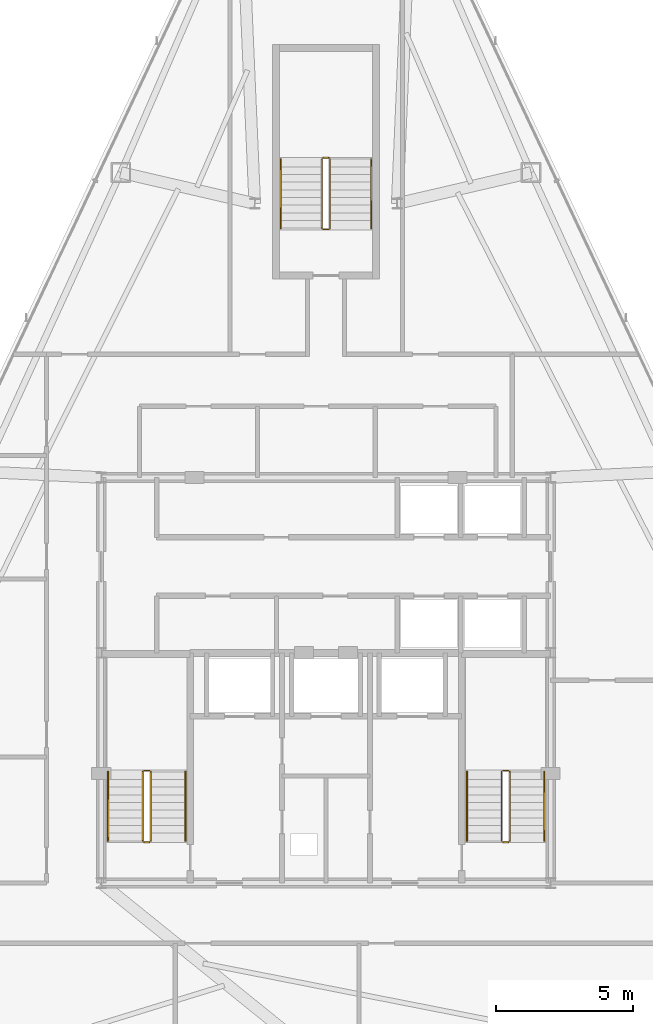
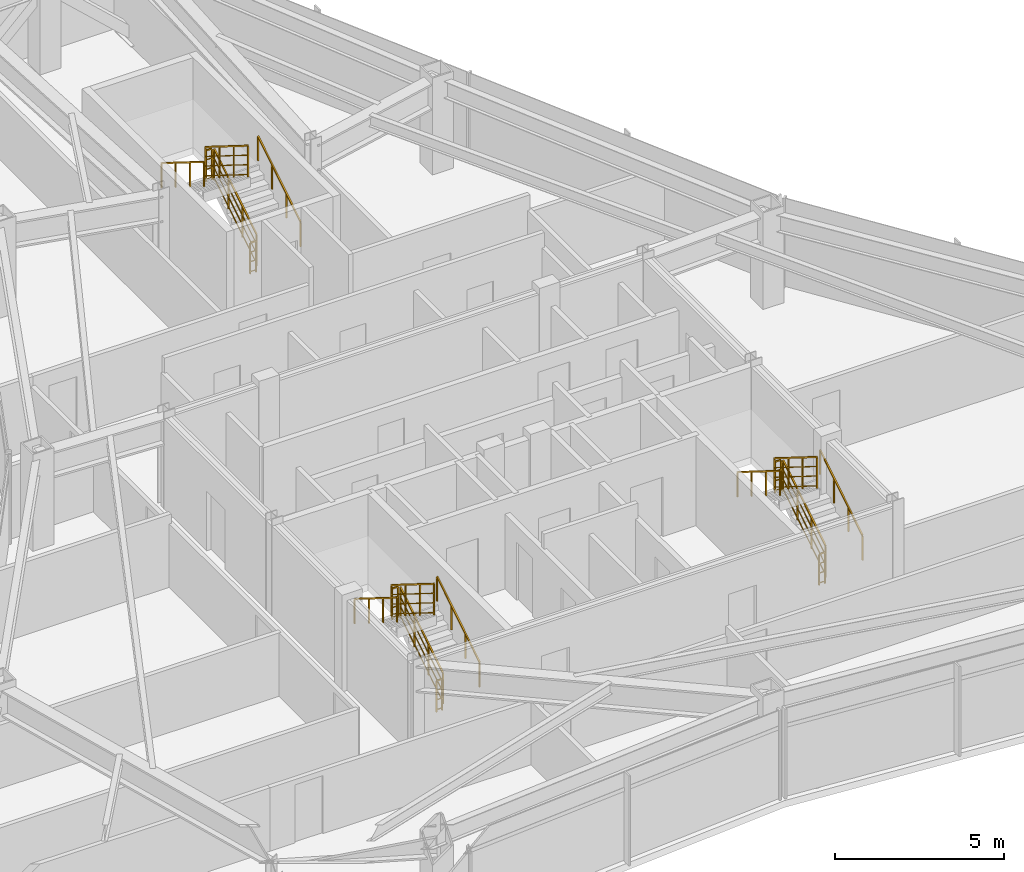
# One storey, part 12 of 12: 18 railings.
"""IFC4 building model written with IfcOpenShell, lengths in metres."""

from ifc_helpers import new_model, si_unit, direction, frame, origin, origin_2d, place, context, subcontext, project, spatial, rectangle, extrude, material, type_object, element, save


model = new_model("IFC4")

# Units and contexts
model_context = context("Model", 3, precision=1e-05, world=origin(), true_north=direction((0.0, 1.0)))
body_context = subcontext(model_context, "Body", "Model", "MODEL_VIEW")
ifc_project = project(units=[si_unit("LENGTHUNIT", "METRE"), si_unit("AREAUNIT", "SQUARE_METRE"), si_unit("VOLUMEUNIT", "CUBIC_METRE"), si_unit("PLANEANGLEUNIT", "RADIAN"), si_unit("MASSUNIT", "GRAM", prefix="KILO")], contexts=[model_context])

# Site, building, storey
site_placement = place(None, origin())
site = spatial("IfcSite", under=ifc_project, at=site_placement, CompositionType="ELEMENT")
building_placement = place(site_placement, origin())
building = spatial("IfcBuilding", under=site, at=building_placement, Name="Varakhsha Concourse Tower", CompositionType="ELEMENT")
storey_placement = place(building_placement, frame((0.0, 0.0, 225.89990234375)))
storey = spatial("IfcBuildingStorey", under=building, at=storey_placement, Name="L64", CompositionType="ELEMENT", Elevation=225.89990234375)

# Railings
ifc_material = material(Name="Brushed Austenitic Stainless Steel AISI 316", Category="steel")
railing_type_1 = type_object("IfcRailingType", Name="RL-STAIR-GUARD-1100", PredefinedType="GUARDRAIL", material=ifc_material)
railing_1_placement = place(storey_placement, frame((33.610107421875, 17.93994140625, 0.175048828125)))
element("IfcRailing", 1, at=railing_1_placement, inside=storey, type_object=railing_type_1, Name="L64 ST1 stair guard 1", PredefinedType="GUARDRAIL", context=body_context, shape_type="SweptSolid", body=[
    extrude(rectangle(XDim=0.048095703125, YDim=0.048095703125, at=origin_2d()), frame((0.0, 0.0, 1.1259765625), z_axis=(0.0, 0.848007534815, 0.529984170421), x_axis=(-1.0, 0.0, 0.0)), (0.0, 0.0, 1.0), 2.9716796875),
    extrude(rectangle(XDim=0.028076171875, YDim=0.028076171875, at=origin_2d()), frame((0.0, 0.0, 0.080078125), z_axis=(0.0, 0.848007534815, 0.529984170421), x_axis=(-1.0, 0.0, 0.0)), (0.0, 0.0, 1.0), 2.9716796875),
    extrude(rectangle(XDim=0.028076171875, YDim=0.028076171875, at=origin_2d()), frame((0.0, 0.0, 0.43701171875), z_axis=(0.0, 0.848007534815, 0.529984170421), x_axis=(-1.0, 0.0, 0.0)), (0.0, 0.0, 1.0), 2.9716796875),
    extrude(rectangle(XDim=0.028076171875, YDim=0.028076171875, at=origin_2d()), frame((0.0, 0.0, 0.781982421875), z_axis=(0.0, 0.848007534815, 0.529984170421), x_axis=(-1.0, 0.0, 0.0)), (0.0, 0.0, 1.0), 2.9716796875),
    extrude(rectangle(XDim=0.0419921875, YDim=0.0419921875, at=origin_2d()), origin(), (0.0, 0.0, 1.0), 1.101806640625),
    extrude(rectangle(XDim=0.0419921875, YDim=0.0419921875, at=origin_2d()), frame((0.0, 0.840087890625, 0.52490234375)), (0.0, 0.0, 1.0), 1.101806640625),
    extrude(rectangle(XDim=0.0419921875, YDim=0.0419921875, at=origin_2d()), frame((0.0, 1.679931640625, 1.050048828125)), (0.0, 0.0, 1.0), 1.101806640625),
    extrude(rectangle(XDim=0.0419921875, YDim=0.0419921875, at=origin_2d()), frame((0.0, 2.52001953125, 1.574951171875)), (0.0, 0.0, 1.0), 1.101806640625),
])
railing_2_placement = place(storey_placement, frame((33.56005859375, 20.510009765625, 1.75)))
element("IfcRailing", 2, at=railing_2_placement, inside=storey, type_object=railing_type_1, Name="L64 ST1 stair guard 2", PredefinedType="GUARDRAIL", context=body_context, shape_type="SweptSolid", body=[
    extrude(rectangle(XDim=0.048095703125, YDim=0.048095703125, at=origin_2d()), frame((0.0, 0.0, 1.1259765625), z_axis=(-1.0, 0.0, 0.0), x_axis=(0.0, -1.0, 0.0)), (0.0, 0.0, 1.0), 0.199951171875),
    extrude(rectangle(XDim=0.028076171875, YDim=0.028076171875, at=origin_2d()), frame((0.0, 0.0, 0.080078125), z_axis=(-1.0, 0.0, 0.0), x_axis=(0.0, -1.0, 0.0)), (0.0, 0.0, 1.0), 0.199951171875),
    extrude(rectangle(XDim=0.028076171875, YDim=0.028076171875, at=origin_2d()), frame((0.0, 0.0, 0.43701171875), z_axis=(-1.0, 0.0, 0.0), x_axis=(0.0, -1.0, 0.0)), (0.0, 0.0, 1.0), 0.199951171875),
    extrude(rectangle(XDim=0.028076171875, YDim=0.028076171875, at=origin_2d()), frame((0.0, 0.0, 0.781982421875), z_axis=(-1.0, 0.0, 0.0), x_axis=(0.0, -1.0, 0.0)), (0.0, 0.0, 1.0), 0.199951171875),
    extrude(rectangle(XDim=0.0419921875, YDim=0.0419921875, at=origin_2d()), origin(), (0.0, 0.0, 1.0), 1.101806640625),
    extrude(rectangle(XDim=0.0419921875, YDim=0.0419921875, at=origin_2d()), frame((-0.199951171875, 0.0, 0.0)), (0.0, 0.0, 1.0), 1.101806640625),
])
railing_3_placement = place(storey_placement, frame((33.31005859375, 20.4599609375, 1.925048828125)))
element("IfcRailing", 3, at=railing_3_placement, inside=storey, type_object=railing_type_1, Name="L64 ST1 stair guard 3", PredefinedType="GUARDRAIL", context=body_context, shape_type="SweptSolid", body=[
    extrude(rectangle(XDim=0.048095703125, YDim=0.048095703125, at=origin_2d()), frame((0.0, 0.0, 1.1259765625), z_axis=(0.0, -0.848007534815, 0.529984170421), x_axis=(1.0, 0.0, 0.0)), (0.0, 0.0, 1.0), 2.9716796875),
    extrude(rectangle(XDim=0.028076171875, YDim=0.028076171875, at=origin_2d()), frame((0.0, 0.0, 0.080078125), z_axis=(0.0, -0.848007534815, 0.529984170421), x_axis=(1.0, 0.0, 0.0)), (0.0, 0.0, 1.0), 2.9716796875),
    extrude(rectangle(XDim=0.028076171875, YDim=0.028076171875, at=origin_2d()), frame((0.0, 0.0, 0.43701171875), z_axis=(0.0, -0.848007534815, 0.529984170421), x_axis=(1.0, 0.0, 0.0)), (0.0, 0.0, 1.0), 2.9716796875),
    extrude(rectangle(XDim=0.028076171875, YDim=0.028076171875, at=origin_2d()), frame((0.0, 0.0, 0.781982421875), z_axis=(0.0, -0.848007534815, 0.529984170421), x_axis=(1.0, 0.0, 0.0)), (0.0, 0.0, 1.0), 2.9716796875),
    extrude(rectangle(XDim=0.0419921875, YDim=0.0419921875, at=origin_2d()), origin(), (0.0, 0.0, 1.0), 1.101806640625),
    extrude(rectangle(XDim=0.0419921875, YDim=0.0419921875, at=origin_2d()), frame((0.0, -0.840087890625, 0.52490234375)), (0.0, 0.0, 1.0), 1.101806640625),
    extrude(rectangle(XDim=0.0419921875, YDim=0.0419921875, at=origin_2d()), frame((0.0, -1.679931640625, 1.050048828125)), (0.0, 0.0, 1.0), 1.101806640625),
    extrude(rectangle(XDim=0.0419921875, YDim=0.0419921875, at=origin_2d()), frame((0.0, -2.52001953125, 1.574951171875)), (0.0, 0.0, 1.0), 1.101806640625),
])
railing_4_placement = place(storey_placement, frame((33.56005859375, 17.889892578125, 0.0)))
element("IfcRailing", 4, at=railing_4_placement, inside=storey, type_object=railing_type_1, Name="L64 ST1 stair guard 4", PredefinedType="GUARDRAIL", context=body_context, shape_type="SweptSolid", body=[
    extrude(rectangle(XDim=0.048095703125, YDim=0.048095703125, at=origin_2d()), frame((0.0, 0.0, 1.1259765625), z_axis=(-1.0, 0.0, 0.0), x_axis=(0.0, -1.0, 0.0)), (0.0, 0.0, 1.0), 0.199951171875),
    extrude(rectangle(XDim=0.028076171875, YDim=0.028076171875, at=origin_2d()), frame((0.0, 0.0, 0.080078125), z_axis=(-1.0, 0.0, 0.0), x_axis=(0.0, -1.0, 0.0)), (0.0, 0.0, 1.0), 0.199951171875),
    extrude(rectangle(XDim=0.028076171875, YDim=0.028076171875, at=origin_2d()), frame((0.0, 0.0, 0.43701171875), z_axis=(-1.0, 0.0, 0.0), x_axis=(0.0, -1.0, 0.0)), (0.0, 0.0, 1.0), 0.199951171875),
    extrude(rectangle(XDim=0.028076171875, YDim=0.028076171875, at=origin_2d()), frame((0.0, 0.0, 0.781982421875), z_axis=(-1.0, 0.0, 0.0), x_axis=(0.0, -1.0, 0.0)), (0.0, 0.0, 1.0), 0.199951171875),
    extrude(rectangle(XDim=0.0419921875, YDim=0.0419921875, at=origin_2d()), origin(), (0.0, 0.0, 1.0), 1.101806640625),
    extrude(rectangle(XDim=0.0419921875, YDim=0.0419921875, at=origin_2d()), frame((-0.199951171875, 0.0, 0.0)), (0.0, 0.0, 1.0), 1.101806640625),
])
railing_5_placement = place(storey_placement, frame((46.7099609375, 17.93994140625, 0.175048828125)))
element("IfcRailing", 5, at=railing_5_placement, inside=storey, type_object=railing_type_1, Name="L64 ST2 stair guard 1", PredefinedType="GUARDRAIL", context=body_context, shape_type="SweptSolid", body=[
    extrude(rectangle(XDim=0.048095703125, YDim=0.048095703125, at=origin_2d()), frame((0.0, 0.0, 1.1259765625), z_axis=(0.0, 0.848007534815, 0.529984170421), x_axis=(-1.0, 0.0, 0.0)), (0.0, 0.0, 1.0), 2.9716796875),
    extrude(rectangle(XDim=0.028076171875, YDim=0.028076171875, at=origin_2d()), frame((0.0, 0.0, 0.080078125), z_axis=(0.0, 0.848007534815, 0.529984170421), x_axis=(-1.0, 0.0, 0.0)), (0.0, 0.0, 1.0), 2.9716796875),
    extrude(rectangle(XDim=0.028076171875, YDim=0.028076171875, at=origin_2d()), frame((0.0, 0.0, 0.43701171875), z_axis=(0.0, 0.848007534815, 0.529984170421), x_axis=(-1.0, 0.0, 0.0)), (0.0, 0.0, 1.0), 2.9716796875),
    extrude(rectangle(XDim=0.028076171875, YDim=0.028076171875, at=origin_2d()), frame((0.0, 0.0, 0.781982421875), z_axis=(0.0, 0.848007534815, 0.529984170421), x_axis=(-1.0, 0.0, 0.0)), (0.0, 0.0, 1.0), 2.9716796875),
    extrude(rectangle(XDim=0.0419921875, YDim=0.0419921875, at=origin_2d()), origin(), (0.0, 0.0, 1.0), 1.101806640625),
    extrude(rectangle(XDim=0.0419921875, YDim=0.0419921875, at=origin_2d()), frame((0.0, 0.840087890625, 0.52490234375)), (0.0, 0.0, 1.0), 1.101806640625),
    extrude(rectangle(XDim=0.0419921875, YDim=0.0419921875, at=origin_2d()), frame((0.0, 1.679931640625, 1.050048828125)), (0.0, 0.0, 1.0), 1.101806640625),
    extrude(rectangle(XDim=0.0419921875, YDim=0.0419921875, at=origin_2d()), frame((0.0, 2.52001953125, 1.574951171875)), (0.0, 0.0, 1.0), 1.101806640625),
])
railing_6_placement = place(storey_placement, frame((46.659912109375, 20.510009765625, 1.75)))
element("IfcRailing", 6, at=railing_6_placement, inside=storey, type_object=railing_type_1, Name="L64 ST2 stair guard 2", PredefinedType="GUARDRAIL", context=body_context, shape_type="SweptSolid", body=[
    extrude(rectangle(XDim=0.048095703125, YDim=0.048095703125, at=origin_2d()), frame((0.0, 0.0, 1.1259765625), z_axis=(-1.0, 0.0, 0.0), x_axis=(0.0, -1.0, 0.0)), (0.0, 0.0, 1.0), 0.199951171875),
    extrude(rectangle(XDim=0.028076171875, YDim=0.028076171875, at=origin_2d()), frame((0.0, 0.0, 0.080078125), z_axis=(-1.0, 0.0, 0.0), x_axis=(0.0, -1.0, 0.0)), (0.0, 0.0, 1.0), 0.199951171875),
    extrude(rectangle(XDim=0.028076171875, YDim=0.028076171875, at=origin_2d()), frame((0.0, 0.0, 0.43701171875), z_axis=(-1.0, 0.0, 0.0), x_axis=(0.0, -1.0, 0.0)), (0.0, 0.0, 1.0), 0.199951171875),
    extrude(rectangle(XDim=0.028076171875, YDim=0.028076171875, at=origin_2d()), frame((0.0, 0.0, 0.781982421875), z_axis=(-1.0, 0.0, 0.0), x_axis=(0.0, -1.0, 0.0)), (0.0, 0.0, 1.0), 0.199951171875),
    extrude(rectangle(XDim=0.0419921875, YDim=0.0419921875, at=origin_2d()), origin(), (0.0, 0.0, 1.0), 1.101806640625),
    extrude(rectangle(XDim=0.0419921875, YDim=0.0419921875, at=origin_2d()), frame((-0.199951171875, 0.0, 0.0)), (0.0, 0.0, 1.0), 1.101806640625),
])
railing_7_placement = place(storey_placement, frame((46.409912109375, 20.4599609375, 1.925048828125)))
element("IfcRailing", 7, at=railing_7_placement, inside=storey, type_object=railing_type_1, Name="L64 ST2 stair guard 3", PredefinedType="GUARDRAIL", context=body_context, shape_type="SweptSolid", body=[
    extrude(rectangle(XDim=0.048095703125, YDim=0.048095703125, at=origin_2d()), frame((0.0, 0.0, 1.1259765625), z_axis=(0.0, -0.848007534815, 0.529984170421), x_axis=(1.0, 0.0, 0.0)), (0.0, 0.0, 1.0), 2.9716796875),
    extrude(rectangle(XDim=0.028076171875, YDim=0.028076171875, at=origin_2d()), frame((0.0, 0.0, 0.080078125), z_axis=(0.0, -0.848007534815, 0.529984170421), x_axis=(1.0, 0.0, 0.0)), (0.0, 0.0, 1.0), 2.9716796875),
    extrude(rectangle(XDim=0.028076171875, YDim=0.028076171875, at=origin_2d()), frame((0.0, 0.0, 0.43701171875), z_axis=(0.0, -0.848007534815, 0.529984170421), x_axis=(1.0, 0.0, 0.0)), (0.0, 0.0, 1.0), 2.9716796875),
    extrude(rectangle(XDim=0.028076171875, YDim=0.028076171875, at=origin_2d()), frame((0.0, 0.0, 0.781982421875), z_axis=(0.0, -0.848007534815, 0.529984170421), x_axis=(1.0, 0.0, 0.0)), (0.0, 0.0, 1.0), 2.9716796875),
    extrude(rectangle(XDim=0.0419921875, YDim=0.0419921875, at=origin_2d()), origin(), (0.0, 0.0, 1.0), 1.101806640625),
    extrude(rectangle(XDim=0.0419921875, YDim=0.0419921875, at=origin_2d()), frame((0.0, -0.840087890625, 0.52490234375)), (0.0, 0.0, 1.0), 1.101806640625),
    extrude(rectangle(XDim=0.0419921875, YDim=0.0419921875, at=origin_2d()), frame((0.0, -1.679931640625, 1.050048828125)), (0.0, 0.0, 1.0), 1.101806640625),
    extrude(rectangle(XDim=0.0419921875, YDim=0.0419921875, at=origin_2d()), frame((0.0, -2.52001953125, 1.574951171875)), (0.0, 0.0, 1.0), 1.101806640625),
])
railing_8_placement = place(storey_placement, frame((46.659912109375, 17.889892578125, 0.0)))
element("IfcRailing", 8, at=railing_8_placement, inside=storey, type_object=railing_type_1, Name="L64 ST2 stair guard 4", PredefinedType="GUARDRAIL", context=body_context, shape_type="SweptSolid", body=[
    extrude(rectangle(XDim=0.048095703125, YDim=0.048095703125, at=origin_2d()), frame((0.0, 0.0, 1.1259765625), z_axis=(-1.0, 0.0, 0.0), x_axis=(0.0, -1.0, 0.0)), (0.0, 0.0, 1.0), 0.199951171875),
    extrude(rectangle(XDim=0.028076171875, YDim=0.028076171875, at=origin_2d()), frame((0.0, 0.0, 0.080078125), z_axis=(-1.0, 0.0, 0.0), x_axis=(0.0, -1.0, 0.0)), (0.0, 0.0, 1.0), 0.199951171875),
    extrude(rectangle(XDim=0.028076171875, YDim=0.028076171875, at=origin_2d()), frame((0.0, 0.0, 0.43701171875), z_axis=(-1.0, 0.0, 0.0), x_axis=(0.0, -1.0, 0.0)), (0.0, 0.0, 1.0), 0.199951171875),
    extrude(rectangle(XDim=0.028076171875, YDim=0.028076171875, at=origin_2d()), frame((0.0, 0.0, 0.781982421875), z_axis=(-1.0, 0.0, 0.0), x_axis=(0.0, -1.0, 0.0)), (0.0, 0.0, 1.0), 0.199951171875),
    extrude(rectangle(XDim=0.0419921875, YDim=0.0419921875, at=origin_2d()), origin(), (0.0, 0.0, 1.0), 1.101806640625),
    extrude(rectangle(XDim=0.0419921875, YDim=0.0419921875, at=origin_2d()), frame((-0.199951171875, 0.0, 0.0)), (0.0, 0.0, 1.0), 1.101806640625),
])
railing_9_placement = place(storey_placement, frame((40.14990234375, 40.300048828125, 0.175048828125)))
element("IfcRailing", 9, at=railing_9_placement, inside=storey, type_object=railing_type_1, Name="L64 ST5 stair guard 1", PredefinedType="GUARDRAIL", context=body_context, shape_type="SweptSolid", body=[
    extrude(rectangle(XDim=0.048095703125, YDim=0.048095703125, at=origin_2d()), frame((0.0, 0.0, 1.1259765625), z_axis=(0.0, 0.848007534815, 0.529984170421), x_axis=(-1.0, 0.0, 0.0)), (0.0, 0.0, 1.0), 2.9716796875),
    extrude(rectangle(XDim=0.028076171875, YDim=0.028076171875, at=origin_2d()), frame((0.0, 0.0, 0.080078125), z_axis=(0.0, 0.848007534815, 0.529984170421), x_axis=(-1.0, 0.0, 0.0)), (0.0, 0.0, 1.0), 2.9716796875),
    extrude(rectangle(XDim=0.028076171875, YDim=0.028076171875, at=origin_2d()), frame((0.0, 0.0, 0.43701171875), z_axis=(0.0, 0.848007534815, 0.529984170421), x_axis=(-1.0, 0.0, 0.0)), (0.0, 0.0, 1.0), 2.9716796875),
    extrude(rectangle(XDim=0.028076171875, YDim=0.028076171875, at=origin_2d()), frame((0.0, 0.0, 0.781982421875), z_axis=(0.0, 0.848007534815, 0.529984170421), x_axis=(-1.0, 0.0, 0.0)), (0.0, 0.0, 1.0), 2.9716796875),
    extrude(rectangle(XDim=0.0419921875, YDim=0.0419921875, at=origin_2d()), origin(), (0.0, 0.0, 1.0), 1.101806640625),
    extrude(rectangle(XDim=0.0419921875, YDim=0.0419921875, at=origin_2d()), frame((0.0, 0.840087890625, 0.52490234375)), (0.0, 0.0, 1.0), 1.101806640625),
    extrude(rectangle(XDim=0.0419921875, YDim=0.0419921875, at=origin_2d()), frame((0.0, 1.679931640625, 1.050048828125)), (0.0, 0.0, 1.0), 1.101806640625),
    extrude(rectangle(XDim=0.0419921875, YDim=0.0419921875, at=origin_2d()), frame((0.0, 2.52001953125, 1.574951171875)), (0.0, 0.0, 1.0), 1.101806640625),
])
railing_10_placement = place(storey_placement, frame((40.10009765625, 42.8701171875, 1.75)))
element("IfcRailing", 10, at=railing_10_placement, inside=storey, type_object=railing_type_1, Name="L64 ST5 stair guard 2", PredefinedType="GUARDRAIL", context=body_context, shape_type="SweptSolid", body=[
    extrude(rectangle(XDim=0.048095703125, YDim=0.048095703125, at=origin_2d()), frame((0.0, 0.0, 1.1259765625), z_axis=(-1.0, 0.0, 0.0), x_axis=(0.0, -1.0, 0.0)), (0.0, 0.0, 1.0), 0.2001953125),
    extrude(rectangle(XDim=0.028076171875, YDim=0.028076171875, at=origin_2d()), frame((0.0, 0.0, 0.080078125), z_axis=(-1.0, 0.0, 0.0), x_axis=(0.0, -1.0, 0.0)), (0.0, 0.0, 1.0), 0.2001953125),
    extrude(rectangle(XDim=0.028076171875, YDim=0.028076171875, at=origin_2d()), frame((0.0, 0.0, 0.43701171875), z_axis=(-1.0, 0.0, 0.0), x_axis=(0.0, -1.0, 0.0)), (0.0, 0.0, 1.0), 0.2001953125),
    extrude(rectangle(XDim=0.028076171875, YDim=0.028076171875, at=origin_2d()), frame((0.0, 0.0, 0.781982421875), z_axis=(-1.0, 0.0, 0.0), x_axis=(0.0, -1.0, 0.0)), (0.0, 0.0, 1.0), 0.2001953125),
    extrude(rectangle(XDim=0.0419921875, YDim=0.0419921875, at=origin_2d()), origin(), (0.0, 0.0, 1.0), 1.101806640625),
    extrude(rectangle(XDim=0.0419921875, YDim=0.0419921875, at=origin_2d()), frame((-0.2001953125, 0.0, 0.0)), (0.0, 0.0, 1.0), 1.101806640625),
])
railing_11_placement = place(storey_placement, frame((39.85009765625, 42.820068359375, 1.925048828125)))
element("IfcRailing", 11, at=railing_11_placement, inside=storey, type_object=railing_type_1, Name="L64 ST5 stair guard 3", PredefinedType="GUARDRAIL", context=body_context, shape_type="SweptSolid", body=[
    extrude(rectangle(XDim=0.048095703125, YDim=0.048095703125, at=origin_2d()), frame((0.0, 0.0, 1.1259765625), z_axis=(0.0, -0.848007534815, 0.529984170421), x_axis=(1.0, 0.0, 0.0)), (0.0, 0.0, 1.0), 2.9716796875),
    extrude(rectangle(XDim=0.028076171875, YDim=0.028076171875, at=origin_2d()), frame((0.0, 0.0, 0.080078125), z_axis=(0.0, -0.848007534815, 0.529984170421), x_axis=(1.0, 0.0, 0.0)), (0.0, 0.0, 1.0), 2.9716796875),
    extrude(rectangle(XDim=0.028076171875, YDim=0.028076171875, at=origin_2d()), frame((0.0, 0.0, 0.43701171875), z_axis=(0.0, -0.848007534815, 0.529984170421), x_axis=(1.0, 0.0, 0.0)), (0.0, 0.0, 1.0), 2.9716796875),
    extrude(rectangle(XDim=0.028076171875, YDim=0.028076171875, at=origin_2d()), frame((0.0, 0.0, 0.781982421875), z_axis=(0.0, -0.848007534815, 0.529984170421), x_axis=(1.0, 0.0, 0.0)), (0.0, 0.0, 1.0), 2.9716796875),
    extrude(rectangle(XDim=0.0419921875, YDim=0.0419921875, at=origin_2d()), origin(), (0.0, 0.0, 1.0), 1.101806640625),
    extrude(rectangle(XDim=0.0419921875, YDim=0.0419921875, at=origin_2d()), frame((0.0, -0.840087890625, 0.52490234375)), (0.0, 0.0, 1.0), 1.101806640625),
    extrude(rectangle(XDim=0.0419921875, YDim=0.0419921875, at=origin_2d()), frame((0.0, -1.679931640625, 1.050048828125)), (0.0, 0.0, 1.0), 1.101806640625),
    extrude(rectangle(XDim=0.0419921875, YDim=0.0419921875, at=origin_2d()), frame((0.0, -2.52001953125, 1.574951171875)), (0.0, 0.0, 1.0), 1.101806640625),
])
railing_12_placement = place(storey_placement, frame((40.10009765625, 40.25, 0.0)))
element("IfcRailing", 12, at=railing_12_placement, inside=storey, type_object=railing_type_1, Name="L64 ST5 stair guard 4", PredefinedType="GUARDRAIL", context=body_context, shape_type="SweptSolid", body=[
    extrude(rectangle(XDim=0.048095703125, YDim=0.048095703125, at=origin_2d()), frame((0.0, 0.0, 1.1259765625), z_axis=(-1.0, 0.0, 0.0), x_axis=(0.0, -1.0, 0.0)), (0.0, 0.0, 1.0), 0.2001953125),
    extrude(rectangle(XDim=0.028076171875, YDim=0.028076171875, at=origin_2d()), frame((0.0, 0.0, 0.080078125), z_axis=(-1.0, 0.0, 0.0), x_axis=(0.0, -1.0, 0.0)), (0.0, 0.0, 1.0), 0.2001953125),
    extrude(rectangle(XDim=0.028076171875, YDim=0.028076171875, at=origin_2d()), frame((0.0, 0.0, 0.43701171875), z_axis=(-1.0, 0.0, 0.0), x_axis=(0.0, -1.0, 0.0)), (0.0, 0.0, 1.0), 0.2001953125),
    extrude(rectangle(XDim=0.028076171875, YDim=0.028076171875, at=origin_2d()), frame((0.0, 0.0, 0.781982421875), z_axis=(-1.0, 0.0, 0.0), x_axis=(0.0, -1.0, 0.0)), (0.0, 0.0, 1.0), 0.2001953125),
    extrude(rectangle(XDim=0.0419921875, YDim=0.0419921875, at=origin_2d()), origin(), (0.0, 0.0, 1.0), 1.101806640625),
    extrude(rectangle(XDim=0.0419921875, YDim=0.0419921875, at=origin_2d()), frame((-0.2001953125, 0.0, 0.0)), (0.0, 0.0, 1.0), 1.101806640625),
])
railing_type_2 = type_object("IfcRailingType", Name="RL-STAIR-RAIL-915", PredefinedType="HANDRAIL", material=ifc_material)
railing_13_placement = place(storey_placement, frame((34.8701171875, 17.93994140625, 0.35009765625)))
element("IfcRailing", 13, at=railing_13_placement, inside=storey, type_object=railing_type_2, Name="L64 ST1 stair handrail 1", PredefinedType="HANDRAIL", context=body_context, shape_type="SweptSolid", body=[
    extrude(rectangle(XDim=0.048095703125, YDim=0.048095703125, at=origin_2d()), frame((0.0, 0.0, 0.89111328125), z_axis=(0.0, 0.848007534815, 0.529984170421), x_axis=(-1.0, 0.0, 0.0)), (0.0, 0.0, 1.0), 2.9716796875),
    extrude(rectangle(XDim=0.0419921875, YDim=0.0419921875, at=origin_2d()), origin(), (0.0, 0.0, 1.0), 0.866943359375),
    extrude(rectangle(XDim=0.0419921875, YDim=0.0419921875, at=origin_2d()), frame((0.0, 0.840087890625, 0.52490234375)), (0.0, 0.0, 1.0), 0.866943359375),
    extrude(rectangle(XDim=0.0419921875, YDim=0.0419921875, at=origin_2d()), frame((0.0, 1.679931640625, 1.050048828125)), (0.0, 0.0, 1.0), 0.866943359375),
    extrude(rectangle(XDim=0.0419921875, YDim=0.0419921875, at=origin_2d()), frame((0.0, 2.52001953125, 1.574951171875)), (0.0, 0.0, 1.0), 0.866943359375),
])
railing_14_placement = place(storey_placement, frame((32.050048828125, 20.4599609375, 2.10009765625)))
element("IfcRailing", 14, at=railing_14_placement, inside=storey, type_object=railing_type_2, Name="L64 ST1 stair handrail 2", PredefinedType="HANDRAIL", context=body_context, shape_type="SweptSolid", body=[
    extrude(rectangle(XDim=0.048095703125, YDim=0.048095703125, at=origin_2d()), frame((0.0, 0.0, 0.89111328125), z_axis=(0.0, -0.848007534815, 0.529984170421), x_axis=(1.0, 0.0, 0.0)), (0.0, 0.0, 1.0), 2.9716796875),
    extrude(rectangle(XDim=0.0419921875, YDim=0.0419921875, at=origin_2d()), origin(), (0.0, 0.0, 1.0), 0.866943359375),
    extrude(rectangle(XDim=0.0419921875, YDim=0.0419921875, at=origin_2d()), frame((0.0, -0.840087890625, 0.52490234375)), (0.0, 0.0, 1.0), 0.866943359375),
    extrude(rectangle(XDim=0.0419921875, YDim=0.0419921875, at=origin_2d()), frame((0.0, -1.679931640625, 1.050048828125)), (0.0, 0.0, 1.0), 0.866943359375),
    extrude(rectangle(XDim=0.0419921875, YDim=0.0419921875, at=origin_2d()), frame((0.0, -2.52001953125, 1.574951171875)), (0.0, 0.0, 1.0), 0.866943359375),
])
railing_15_placement = place(storey_placement, frame((47.969970703125, 17.93994140625, 0.35009765625)))
element("IfcRailing", 15, at=railing_15_placement, inside=storey, type_object=railing_type_2, Name="L64 ST2 stair handrail 1", PredefinedType="HANDRAIL", context=body_context, shape_type="SweptSolid", body=[
    extrude(rectangle(XDim=0.048095703125, YDim=0.048095703125, at=origin_2d()), frame((0.0, 0.0, 0.89111328125), z_axis=(0.0, 0.848007534815, 0.529984170421), x_axis=(-1.0, 0.0, 0.0)), (0.0, 0.0, 1.0), 2.9716796875),
    extrude(rectangle(XDim=0.0419921875, YDim=0.0419921875, at=origin_2d()), origin(), (0.0, 0.0, 1.0), 0.866943359375),
    extrude(rectangle(XDim=0.0419921875, YDim=0.0419921875, at=origin_2d()), frame((0.0, 0.840087890625, 0.52490234375)), (0.0, 0.0, 1.0), 0.866943359375),
    extrude(rectangle(XDim=0.0419921875, YDim=0.0419921875, at=origin_2d()), frame((0.0, 1.679931640625, 1.050048828125)), (0.0, 0.0, 1.0), 0.866943359375),
    extrude(rectangle(XDim=0.0419921875, YDim=0.0419921875, at=origin_2d()), frame((0.0, 2.52001953125, 1.574951171875)), (0.0, 0.0, 1.0), 0.866943359375),
])
railing_16_placement = place(storey_placement, frame((45.14990234375, 20.4599609375, 2.10009765625)))
element("IfcRailing", 16, at=railing_16_placement, inside=storey, type_object=railing_type_2, Name="L64 ST2 stair handrail 2", PredefinedType="HANDRAIL", context=body_context, shape_type="SweptSolid", body=[
    extrude(rectangle(XDim=0.048095703125, YDim=0.048095703125, at=origin_2d()), frame((0.0, 0.0, 0.89111328125), z_axis=(0.0, -0.848007534815, 0.529984170421), x_axis=(1.0, 0.0, 0.0)), (0.0, 0.0, 1.0), 2.9716796875),
    extrude(rectangle(XDim=0.0419921875, YDim=0.0419921875, at=origin_2d()), origin(), (0.0, 0.0, 1.0), 0.866943359375),
    extrude(rectangle(XDim=0.0419921875, YDim=0.0419921875, at=origin_2d()), frame((0.0, -0.840087890625, 0.52490234375)), (0.0, 0.0, 1.0), 0.866943359375),
    extrude(rectangle(XDim=0.0419921875, YDim=0.0419921875, at=origin_2d()), frame((0.0, -1.679931640625, 1.050048828125)), (0.0, 0.0, 1.0), 0.866943359375),
    extrude(rectangle(XDim=0.0419921875, YDim=0.0419921875, at=origin_2d()), frame((0.0, -2.52001953125, 1.574951171875)), (0.0, 0.0, 1.0), 0.866943359375),
])
railing_17_placement = place(storey_placement, frame((41.64990234375, 40.300048828125, 0.35009765625)))
element("IfcRailing", 17, at=railing_17_placement, inside=storey, type_object=railing_type_2, Name="L64 ST5 stair handrail 1", PredefinedType="HANDRAIL", context=body_context, shape_type="SweptSolid", body=[
    extrude(rectangle(XDim=0.048095703125, YDim=0.048095703125, at=origin_2d()), frame((0.0, 0.0, 0.89111328125), z_axis=(0.0, 0.848007534815, 0.529984170421), x_axis=(-1.0, 0.0, 0.0)), (0.0, 0.0, 1.0), 2.9716796875),
    extrude(rectangle(XDim=0.0419921875, YDim=0.0419921875, at=origin_2d()), origin(), (0.0, 0.0, 1.0), 0.866943359375),
    extrude(rectangle(XDim=0.0419921875, YDim=0.0419921875, at=origin_2d()), frame((0.0, 0.840087890625, 0.52490234375)), (0.0, 0.0, 1.0), 0.866943359375),
    extrude(rectangle(XDim=0.0419921875, YDim=0.0419921875, at=origin_2d()), frame((0.0, 1.679931640625, 1.050048828125)), (0.0, 0.0, 1.0), 0.866943359375),
    extrude(rectangle(XDim=0.0419921875, YDim=0.0419921875, at=origin_2d()), frame((0.0, 2.52001953125, 1.574951171875)), (0.0, 0.0, 1.0), 0.866943359375),
])
railing_18_placement = place(storey_placement, frame((38.35009765625, 42.820068359375, 2.10009765625)))
element("IfcRailing", 18, at=railing_18_placement, inside=storey, type_object=railing_type_2, Name="L64 ST5 stair handrail 2", PredefinedType="HANDRAIL", context=body_context, shape_type="SweptSolid", body=[
    extrude(rectangle(XDim=0.048095703125, YDim=0.048095703125, at=origin_2d()), frame((0.0, 0.0, 0.89111328125), z_axis=(0.0, -0.848007534815, 0.529984170421), x_axis=(1.0, 0.0, 0.0)), (0.0, 0.0, 1.0), 2.9716796875),
    extrude(rectangle(XDim=0.0419921875, YDim=0.0419921875, at=origin_2d()), origin(), (0.0, 0.0, 1.0), 0.866943359375),
    extrude(rectangle(XDim=0.0419921875, YDim=0.0419921875, at=origin_2d()), frame((0.0, -0.840087890625, 0.52490234375)), (0.0, 0.0, 1.0), 0.866943359375),
    extrude(rectangle(XDim=0.0419921875, YDim=0.0419921875, at=origin_2d()), frame((0.0, -1.679931640625, 1.050048828125)), (0.0, 0.0, 1.0), 0.866943359375),
    extrude(rectangle(XDim=0.0419921875, YDim=0.0419921875, at=origin_2d()), frame((0.0, -2.52001953125, 1.574951171875)), (0.0, 0.0, 1.0), 0.866943359375),
])

save(model, "model.ifc")
